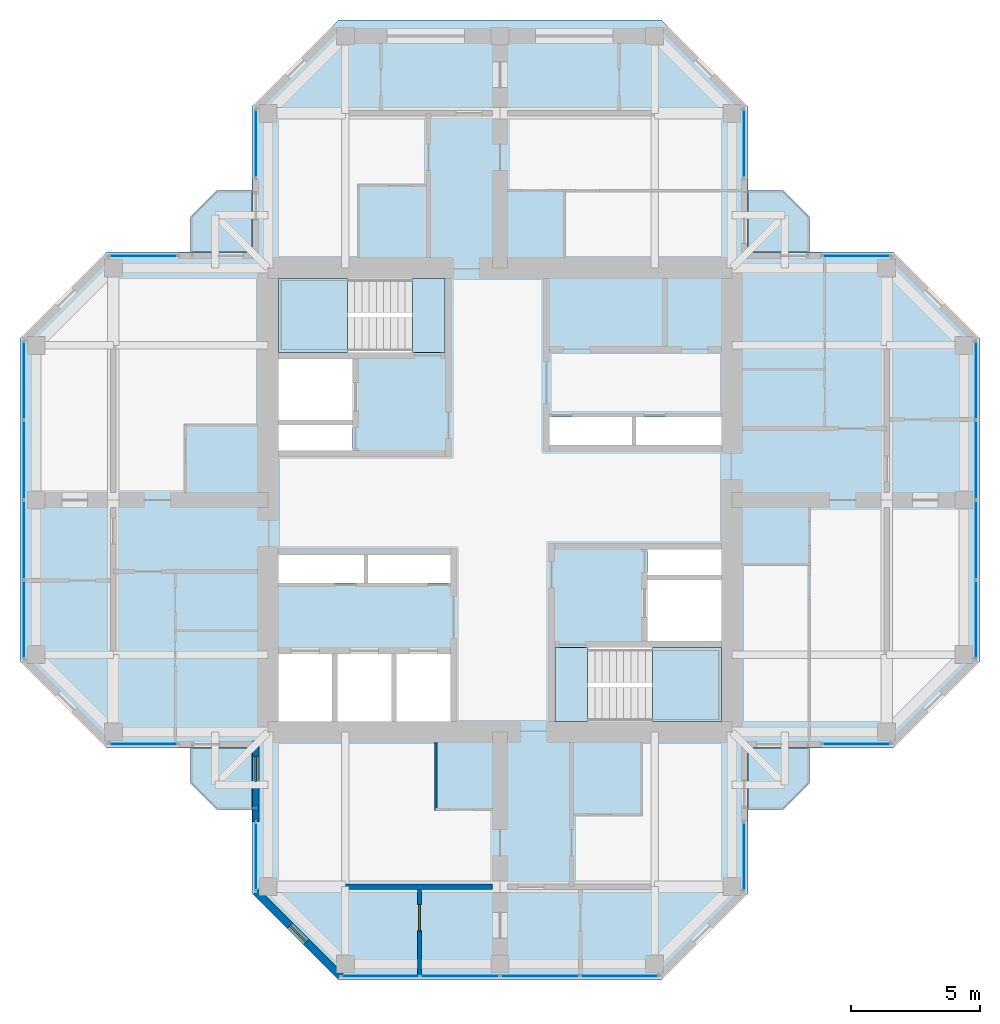
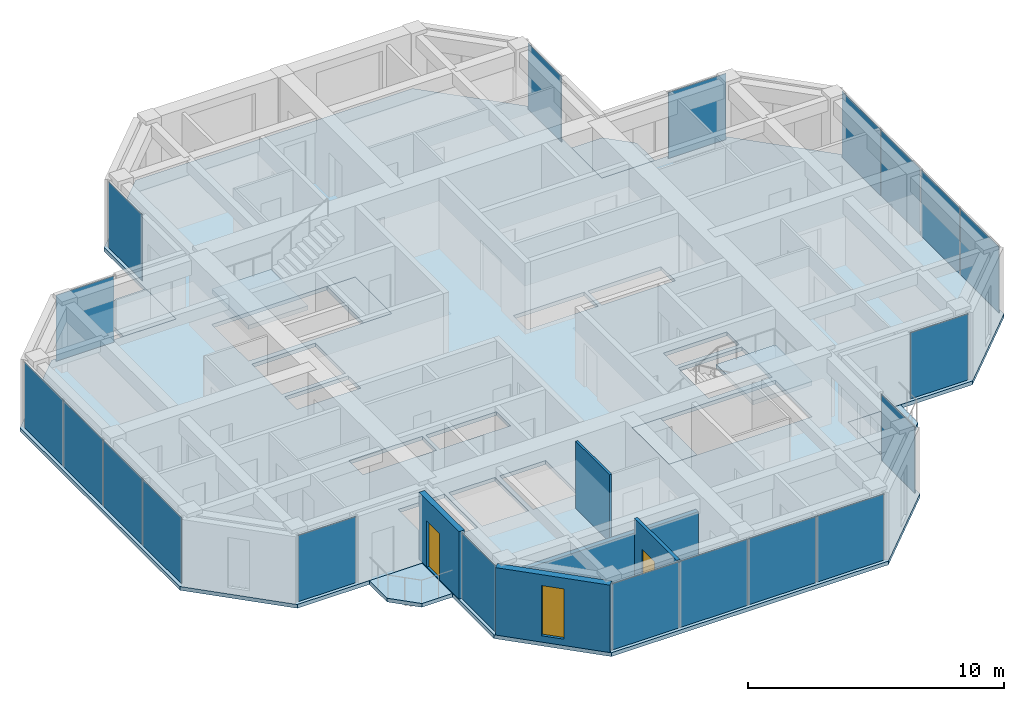
# One storey, part 7 of 13: 20 plates, 9 slabs, 5 walls, 2 doors, 1 window, 3 openings, 13 elements without a shape of their own.
"""IFC4 building model written with IfcOpenShell, lengths in metres."""

from ifc_helpers import new_model, si_unit, direction, frame, frame_2d, origin, origin_2d, place, context, subcontext, project, spatial, polyline, rectangle, hollow_rectangle, outline, extrude, material, layer, layer_set, constituent, constituent_set, type_object, element, fill, aggregate, save


model = new_model("IFC4")

# Units and contexts
model_context = context("Model", 3, precision=1e-05, world=origin(), true_north=direction((0.0, 1.0)))
body_context = subcontext(model_context, "Body", "Model", "MODEL_VIEW")
ifc_project = project(units=[si_unit("LENGTHUNIT", "METRE"), si_unit("AREAUNIT", "SQUARE_METRE"), si_unit("VOLUMEUNIT", "CUBIC_METRE"), si_unit("PLANEANGLEUNIT", "RADIAN"), si_unit("MASSUNIT", "GRAM", prefix="KILO")], contexts=[model_context])

# Site, building, storey
site_placement = place(None, origin())
site = spatial("IfcSite", under=ifc_project, at=site_placement, CompositionType="ELEMENT")
building_placement = place(site_placement, origin())
building = spatial("IfcBuilding", under=site, at=building_placement, Name="Torre Cruceta", CompositionType="ELEMENT")
storey_placement = place(building_placement, frame((0.0, 0.0, 281.5)))
storey = spatial("IfcBuildingStorey", under=building, at=storey_placement, Name="L73", CompositionType="ELEMENT", Elevation=281.5)

# Slabs
ifc_material_1 = material(Name="Concrete G35 (fck 35 MPa)", Category="concrete")
ifc_layer_1 = layer(ifc_material_1, 0.179931640625)
ifc_layer_set_1 = layer_set([ifc_layer_1], Name="Concrete G35 (fck 35 MPa)")
slab_type_1 = type_object("IfcSlabType", Name="BALCONY SLAB 180", PredefinedType="USERDEFINED", material=ifc_layer_set_1)
slab_1_placement = place(storey_placement, frame((0.0, 0.0, -0.179931640625)))
element("IfcSlab", 1, at=slab_1_placement, inside=storey, type_object=slab_type_1, Name="Balcony slab L73 N", ObjectType="BALCONY", PredefinedType="USERDEFINED", context=body_context, shape_type="SweptSolid", body=[
    extrude(outline(polyline([(-12.0, 11.0), (-11.0, 12.0), (-9.6201171875, 12.0), (-9.6201171875, 9.6201171875), (-12.0, 9.6201171875), (-12.0, 11.0)])), origin(), (0.0, 0.0, 1.0), 0.179931640625),
])
slab_2_placement = place(storey_placement, frame((0.0, 0.0, -0.179931640625)))
element("IfcSlab", 2, at=slab_2_placement, inside=storey, type_object=slab_type_1, Name="Balcony slab L73 E", ObjectType="BALCONY", PredefinedType="USERDEFINED", context=body_context, shape_type="SweptSolid", body=[
    extrude(outline(polyline([(11.0, 12.0), (12.0, 11.0), (12.0, 9.6201171875), (9.6201171875, 9.6201171875), (9.6201171875, 12.0), (11.0, 12.0)])), origin(), (0.0, 0.0, 1.0), 0.179931640625),
])
slab_3_placement = place(storey_placement, frame((0.0, 0.0, -0.179931640625)))
element("IfcSlab", 3, at=slab_3_placement, inside=storey, type_object=slab_type_1, Name="Balcony slab L73 S", ObjectType="BALCONY", PredefinedType="USERDEFINED", context=body_context, shape_type="SweptSolid", body=[
    extrude(outline(polyline([(12.0, -11.0), (11.0, -12.0), (9.6201171875, -12.0), (9.6201171875, -9.6201171875), (12.0, -9.6201171875), (12.0, -11.0)])), origin(), (0.0, 0.0, 1.0), 0.179931640625),
])
slab_4_placement = place(storey_placement, frame((0.0, 0.0, -0.179931640625)))
element("IfcSlab", 4, at=slab_4_placement, inside=storey, type_object=slab_type_1, Name="Balcony slab L73 W", ObjectType="BALCONY", PredefinedType="USERDEFINED", context=body_context, shape_type="SweptSolid", body=[
    extrude(outline(polyline([(-11.0, -12.0), (-12.0, -11.0), (-12.0, -9.6201171875), (-9.6201171875, -9.6201171875), (-9.6201171875, -12.0), (-11.0, -12.0)])), origin(), (0.0, 0.0, 1.0), 0.179931640625),
])

# Curtain wall, plate
ifc_material_2 = material(Name="Aluminium unitised curtain wall", Category="aluminium")
curtain_wall_type = type_object("IfcCurtainWallType", Name="CURTAIN WALL CW-E CO-LIVING TOP", PredefinedType="USERDEFINED", material=ifc_material_2)
curtain_wall_1_placement = place(storey_placement, origin())
curtain_wall_1 = element("IfcCurtainWall", 5, at=curtain_wall_1_placement, inside=storey, type_object=curtain_wall_type, Name="CW-E L73 E tip 02", ObjectType="UNITISED", PredefinedType="USERDEFINED")
ifc_material_3 = material(Name="Laminated insulating glass unit, diagonal frit 50 %", Category="glass")
ifc_material_4 = material(Name="Laminated insulating glass unit, diagonal frit 50 %", Category="glass")
ifc_layer_2 = layer(ifc_material_4, 0.028076171875)
ifc_layer_set_2 = layer_set([ifc_layer_2], Name="Laminated insulating glass unit, diagonal frit 50 %")
plate_type_1 = type_object("IfcPlateType", Name="CW-E OPERABLE VENT PANEL 28", PredefinedType="CURTAIN_PANEL", material=ifc_layer_set_2)
plate_1_placement = place(storey_placement, frame((18.469970703125, -1.548583984375, 0.009765625), z_axis=(0.0, 0.0, 1.0), x_axis=(0.0, 1.0, 0.0)))
plate_1 = element("IfcPlate", 6, at=plate_1_placement, type_object=plate_type_1, material=ifc_material_3, Name="CW-E vent 2", PredefinedType="CURTAIN_PANEL", context=body_context, shape_type="SweptSolid", body=[
    extrude(rectangle(XDim=3.042236328125, YDim=0.028076171875, at=origin_2d()), origin(), (0.0, 0.0, 1.0), 3.155029296875),
])

curtain_wall_2_placement = place(storey_placement, origin())
curtain_wall_2 = element("IfcCurtainWall", 7, at=curtain_wall_2_placement, inside=storey, type_object=curtain_wall_type, Name="CW-E L73 W tip 12", ObjectType="UNITISED", PredefinedType="USERDEFINED")
plate_2_placement = place(storey_placement, frame((-18.469970703125, 1.548583984375, 0.009765625), z_axis=(0.0, 0.0, 1.0), x_axis=(0.0, -1.0, 0.0)))
plate_2 = element("IfcPlate", 8, at=plate_2_placement, type_object=plate_type_1, material=ifc_material_3, Name="CW-E vent 2", PredefinedType="CURTAIN_PANEL", context=body_context, shape_type="SweptSolid", body=[
    extrude(rectangle(XDim=3.042236328125, YDim=0.028076171875, at=origin_2d()), origin(), (0.0, 0.0, 1.0), 3.155029296875),
])

curtain_wall_3_placement = place(storey_placement, origin())
curtain_wall_3 = element("IfcCurtainWall", 9, at=curtain_wall_3_placement, inside=storey, type_object=curtain_wall_type, Name="CW-E L73 S tip 17", ObjectType="UNITISED", PredefinedType="USERDEFINED")
plate_3_placement = place(storey_placement, frame((-1.548583984375, -18.469970703125, 0.009765625), z_axis=(0.0, 0.0, 1.0), x_axis=(1.0, 0.0, 0.0)))
plate_3 = element("IfcPlate", 10, at=plate_3_placement, type_object=plate_type_1, material=ifc_material_3, Name="CW-E vent 2", PredefinedType="CURTAIN_PANEL", context=body_context, shape_type="SweptSolid", body=[
    extrude(rectangle(XDim=3.042236328125, YDim=0.028076171875, at=origin_2d()), origin(), (0.0, 0.0, 1.0), 3.155029296875),
])

curtain_wall_4_placement = place(storey_placement, origin())
curtain_wall_4 = element("IfcCurtainWall", 11, at=curtain_wall_4_placement, inside=storey, type_object=curtain_wall_type, Name="CW-E L73 E side 00", ObjectType="UNITISED", PredefinedType="USERDEFINED")
ifc_material_5 = material(Name="Laminated insulating glass unit, low-iron clear", Category="glass")
ifc_material_6 = material(Name="Laminated insulating glass unit, diagonal frit 50 %", Category="glass")
ifc_layer_3 = layer(ifc_material_6, 0.028076171875)
ifc_layer_set_3 = layer_set([ifc_layer_3], Name="Laminated insulating glass unit, diagonal frit 50 %")
plate_type_2 = type_object("IfcPlateType", Name="CW-E PANEL 28", PredefinedType="CURTAIN_PANEL", material=ifc_layer_set_3)
plate_4_placement = place(storey_placement, frame((13.832275390625, -9.469970703125, 0.009765625), z_axis=(0.0, 0.0, 1.0), x_axis=(1.0, 0.0, 0.0)))
plate_4 = element("IfcPlate", 12, at=plate_4_placement, type_object=plate_type_2, material=ifc_material_5, Name="CW-E panel 1", PredefinedType="CURTAIN_PANEL", context=body_context, shape_type="SweptSolid", body=[
    extrude(rectangle(XDim=2.61474609375, YDim=0.028076171875, at=origin_2d()), origin(), (0.0, 0.0, 1.0), 3.155029296875),
])
aggregate(curtain_wall_4, [plate_4])

# Plate
plate_5_placement = place(storey_placement, frame((18.469970703125, -4.63232421875, 0.009765625), z_axis=(0.0, 0.0, 1.0), x_axis=(0.0, 1.0, 0.0)))
plate_5 = element("IfcPlate", 13, at=plate_5_placement, type_object=plate_type_2, material=ifc_material_5, Name="CW-E panel 1", PredefinedType="CURTAIN_PANEL", context=body_context, shape_type="SweptSolid", body=[
    extrude(rectangle(XDim=3.014892578125, YDim=0.028076171875, at=origin_2d()), origin(), (0.0, 0.0, 1.0), 3.155029296875),
])

plate_6_placement = place(storey_placement, frame((18.469970703125, 1.548583984375, 0.009765625), z_axis=(0.0, 0.0, 1.0), x_axis=(0.0, 1.0, 0.0)))
plate_6 = element("IfcPlate", 14, at=plate_6_placement, type_object=plate_type_2, material=ifc_material_3, Name="CW-E panel 3", PredefinedType="CURTAIN_PANEL", context=body_context, shape_type="SweptSolid", body=[
    extrude(rectangle(XDim=3.042236328125, YDim=0.028076171875, at=origin_2d()), origin(), (0.0, 0.0, 1.0), 3.155029296875),
])

plate_7_placement = place(storey_placement, frame((18.469970703125, 4.63232421875, 0.009765625), z_axis=(0.0, 0.0, 1.0), x_axis=(0.0, 1.0, 0.0)))
plate_7 = element("IfcPlate", 15, at=plate_7_placement, type_object=plate_type_2, material=ifc_material_3, Name="CW-E panel 4", PredefinedType="CURTAIN_PANEL", context=body_context, shape_type="SweptSolid", body=[
    extrude(rectangle(XDim=3.014892578125, YDim=0.028076171875, at=origin_2d()), origin(), (0.0, 0.0, 1.0), 3.155029296875),
])

aggregate(curtain_wall_1, [plate_5, plate_1, plate_6, plate_7])

# Curtain wall, plate
curtain_wall_5_placement = place(storey_placement, origin())
curtain_wall_5 = element("IfcCurtainWall", 16, at=curtain_wall_5_placement, inside=storey, type_object=curtain_wall_type, Name="CW-E L73 E side 04", ObjectType="UNITISED", PredefinedType="USERDEFINED")
plate_8_placement = place(storey_placement, frame((13.832275390625, 9.469970703125, 0.009765625), z_axis=(0.0, 0.0, 1.0), x_axis=(-1.0, 0.0, 0.0)))
plate_8 = element("IfcPlate", 17, at=plate_8_placement, type_object=plate_type_2, material=ifc_material_5, Name="CW-E panel 1", PredefinedType="CURTAIN_PANEL", context=body_context, shape_type="SweptSolid", body=[
    extrude(rectangle(XDim=2.61474609375, YDim=0.028076171875, at=origin_2d()), origin(), (0.0, 0.0, 1.0), 3.155029296875),
])
aggregate(curtain_wall_5, [plate_8])

curtain_wall_6_placement = place(storey_placement, origin())
curtain_wall_6 = element("IfcCurtainWall", 18, at=curtain_wall_6_placement, inside=storey, type_object=curtain_wall_type, Name="CW-E L73 N side 05", ObjectType="UNITISED", PredefinedType="USERDEFINED")
plate_9_placement = place(storey_placement, frame((9.469970703125, 13.832275390625, 0.009765625), z_axis=(0.0, 0.0, 1.0), x_axis=(0.0, 1.0, 0.0)))
plate_9 = element("IfcPlate", 19, at=plate_9_placement, type_object=plate_type_2, material=ifc_material_5, Name="CW-E panel 1", PredefinedType="CURTAIN_PANEL", context=body_context, shape_type="SweptSolid", body=[
    extrude(rectangle(XDim=2.61474609375, YDim=0.028076171875, at=origin_2d()), origin(), (0.0, 0.0, 1.0), 3.155029296875),
])
aggregate(curtain_wall_6, [plate_9])

curtain_wall_7_placement = place(storey_placement, origin())
curtain_wall_7 = element("IfcCurtainWall", 20, at=curtain_wall_7_placement, inside=storey, type_object=curtain_wall_type, Name="CW-E L73 N side 09", ObjectType="UNITISED", PredefinedType="USERDEFINED")
plate_10_placement = place(storey_placement, frame((-9.469970703125, 13.832275390625, 0.009765625), z_axis=(0.0, 0.0, 1.0), x_axis=(0.0, -1.0, 0.0)))
plate_10 = element("IfcPlate", 21, at=plate_10_placement, type_object=plate_type_2, material=ifc_material_5, Name="CW-E panel 1", PredefinedType="CURTAIN_PANEL", context=body_context, shape_type="SweptSolid", body=[
    extrude(rectangle(XDim=2.61474609375, YDim=0.028076171875, at=origin_2d()), origin(), (0.0, 0.0, 1.0), 3.155029296875),
])
aggregate(curtain_wall_7, [plate_10])

curtain_wall_8_placement = place(storey_placement, origin())
curtain_wall_8 = element("IfcCurtainWall", 22, at=curtain_wall_8_placement, inside=storey, type_object=curtain_wall_type, Name="CW-E L73 W side 10", ObjectType="UNITISED", PredefinedType="USERDEFINED")
plate_11_placement = place(storey_placement, frame((-13.832275390625, 9.469970703125, 0.009765625), z_axis=(0.0, 0.0, 1.0), x_axis=(-1.0, 0.0, 0.0)))
plate_11 = element("IfcPlate", 23, at=plate_11_placement, type_object=plate_type_2, material=ifc_material_5, Name="CW-E panel 1", PredefinedType="CURTAIN_PANEL", context=body_context, shape_type="SweptSolid", body=[
    extrude(rectangle(XDim=2.61474609375, YDim=0.028076171875, at=origin_2d()), origin(), (0.0, 0.0, 1.0), 3.155029296875),
])
aggregate(curtain_wall_8, [plate_11])

# Plate
plate_12_placement = place(storey_placement, frame((-18.469970703125, 4.63232421875, 0.009765625), z_axis=(0.0, 0.0, 1.0), x_axis=(0.0, -1.0, 0.0)))
plate_12 = element("IfcPlate", 24, at=plate_12_placement, type_object=plate_type_2, material=ifc_material_5, Name="CW-E panel 1", PredefinedType="CURTAIN_PANEL", context=body_context, shape_type="SweptSolid", body=[
    extrude(rectangle(XDim=3.014892578125, YDim=0.028076171875, at=origin_2d()), origin(), (0.0, 0.0, 1.0), 3.155029296875),
])

plate_13_placement = place(storey_placement, frame((-18.469970703125, -1.548583984375, 0.009765625), z_axis=(0.0, 0.0, 1.0), x_axis=(0.0, -1.0, 0.0)))
plate_13 = element("IfcPlate", 25, at=plate_13_placement, type_object=plate_type_2, material=ifc_material_3, Name="CW-E panel 3", PredefinedType="CURTAIN_PANEL", context=body_context, shape_type="SweptSolid", body=[
    extrude(rectangle(XDim=3.042236328125, YDim=0.028076171875, at=origin_2d()), origin(), (0.0, 0.0, 1.0), 3.155029296875),
])

plate_14_placement = place(storey_placement, frame((-18.469970703125, -4.63232421875, 0.009765625), z_axis=(0.0, 0.0, 1.0), x_axis=(0.0, -1.0, 0.0)))
plate_14 = element("IfcPlate", 26, at=plate_14_placement, type_object=plate_type_2, material=ifc_material_3, Name="CW-E panel 4", PredefinedType="CURTAIN_PANEL", context=body_context, shape_type="SweptSolid", body=[
    extrude(rectangle(XDim=3.014892578125, YDim=0.028076171875, at=origin_2d()), origin(), (0.0, 0.0, 1.0), 3.155029296875),
])

aggregate(curtain_wall_2, [plate_12, plate_2, plate_13, plate_14])

# Curtain wall, plate
curtain_wall_9_placement = place(storey_placement, origin())
curtain_wall_9 = element("IfcCurtainWall", 27, at=curtain_wall_9_placement, inside=storey, type_object=curtain_wall_type, Name="CW-E L73 W side 14", ObjectType="UNITISED", PredefinedType="USERDEFINED")
plate_15_placement = place(storey_placement, frame((-13.832275390625, -9.469970703125, 0.009765625), z_axis=(0.0, 0.0, 1.0), x_axis=(1.0, 0.0, 0.0)))
plate_15 = element("IfcPlate", 28, at=plate_15_placement, type_object=plate_type_2, material=ifc_material_5, Name="CW-E panel 1", PredefinedType="CURTAIN_PANEL", context=body_context, shape_type="SweptSolid", body=[
    extrude(rectangle(XDim=2.61474609375, YDim=0.028076171875, at=origin_2d()), origin(), (0.0, 0.0, 1.0), 3.155029296875),
])
aggregate(curtain_wall_9, [plate_15])

curtain_wall_10_placement = place(storey_placement, origin())
curtain_wall_10 = element("IfcCurtainWall", 29, at=curtain_wall_10_placement, inside=storey, type_object=curtain_wall_type, Name="CW-E L73 S side 15", ObjectType="UNITISED", PredefinedType="USERDEFINED")
plate_16_placement = place(storey_placement, frame((-9.469970703125, -13.832275390625, 0.009765625), z_axis=(0.0, 0.0, 1.0), x_axis=(0.0, -1.0, 0.0)))
plate_16 = element("IfcPlate", 30, at=plate_16_placement, type_object=plate_type_2, material=ifc_material_5, Name="CW-E panel 1", PredefinedType="CURTAIN_PANEL", context=body_context, shape_type="SweptSolid", body=[
    extrude(rectangle(XDim=2.61474609375, YDim=0.028076171875, at=origin_2d()), origin(), (0.0, 0.0, 1.0), 3.155029296875),
])
aggregate(curtain_wall_10, [plate_16])

# Plate
plate_17_placement = place(storey_placement, frame((-4.63232421875, -18.469970703125, 0.009765625), z_axis=(0.0, 0.0, 1.0), x_axis=(1.0, 0.0, 0.0)))
plate_17 = element("IfcPlate", 31, at=plate_17_placement, type_object=plate_type_2, material=ifc_material_5, Name="CW-E panel 1", PredefinedType="CURTAIN_PANEL", context=body_context, shape_type="SweptSolid", body=[
    extrude(rectangle(XDim=3.014892578125, YDim=0.028076171875, at=origin_2d()), origin(), (0.0, 0.0, 1.0), 3.155029296875),
])

plate_18_placement = place(storey_placement, frame((1.548583984375, -18.469970703125, 0.009765625), z_axis=(0.0, 0.0, 1.0), x_axis=(1.0, 0.0, 0.0)))
plate_18 = element("IfcPlate", 32, at=plate_18_placement, type_object=plate_type_2, material=ifc_material_3, Name="CW-E panel 3", PredefinedType="CURTAIN_PANEL", context=body_context, shape_type="SweptSolid", body=[
    extrude(rectangle(XDim=3.042236328125, YDim=0.028076171875, at=origin_2d()), origin(), (0.0, 0.0, 1.0), 3.155029296875),
])

plate_19_placement = place(storey_placement, frame((4.63232421875, -18.469970703125, 0.009765625), z_axis=(0.0, 0.0, 1.0), x_axis=(1.0, 0.0, 0.0)))
plate_19 = element("IfcPlate", 33, at=plate_19_placement, type_object=plate_type_2, material=ifc_material_3, Name="CW-E panel 4", PredefinedType="CURTAIN_PANEL", context=body_context, shape_type="SweptSolid", body=[
    extrude(rectangle(XDim=3.014892578125, YDim=0.028076171875, at=origin_2d()), origin(), (0.0, 0.0, 1.0), 3.155029296875),
])

aggregate(curtain_wall_3, [plate_17, plate_3, plate_18, plate_19])

# Curtain wall, plate
curtain_wall_11_placement = place(storey_placement, origin())
curtain_wall_11 = element("IfcCurtainWall", 34, at=curtain_wall_11_placement, inside=storey, type_object=curtain_wall_type, Name="CW-E L73 S side 19", ObjectType="UNITISED", PredefinedType="USERDEFINED")
plate_20_placement = place(storey_placement, frame((9.469970703125, -13.832275390625, 0.009765625), z_axis=(0.0, 0.0, 1.0), x_axis=(0.0, 1.0, 0.0)))
plate_20 = element("IfcPlate", 35, at=plate_20_placement, type_object=plate_type_2, material=ifc_material_5, Name="CW-E panel 1", PredefinedType="CURTAIN_PANEL", context=body_context, shape_type="SweptSolid", body=[
    extrude(rectangle(XDim=2.61474609375, YDim=0.028076171875, at=origin_2d()), origin(), (0.0, 0.0, 1.0), 3.155029296875),
])
aggregate(curtain_wall_11, [plate_20])

# Slab
ifc_material_7 = material(Name="Concrete G35 (fck 35 MPa)", Category="concrete")
ifc_layer_4 = layer(ifc_material_7, 0.179931640625)
ifc_layer_set_4 = layer_set([ifc_layer_4], Name="Concrete G35 (fck 35 MPa)")
slab_type_2 = type_object("IfcSlabType", Name="FLOOR SLAB 180", PredefinedType="FLOOR", material=ifc_layer_set_4)
slab_5_placement = place(storey_placement, frame((0.0, 0.0, -0.179931640625)))
element("IfcSlab", 36, at=slab_5_placement, inside=storey, type_object=slab_type_2, Name="Floor Slab L73", PredefinedType="FLOOR", context=body_context, shape_type="SweptSolid", body=[
    extrude(outline(polyline([(9.6201171875, -9.6201171875), (9.6201171875, -15.2568359375), (6.2568359375, -18.6201171875), (-6.2568359375, -18.6201171875), (-9.6201171875, -15.2568359375), (-9.6201171875, -9.6201171875), (-15.2568359375, -9.6201171875), (-18.6201171875, -6.2568359375), (-18.6201171875, 6.2568359375), (-15.2568359375, 9.6201171875), (-9.6201171875, 9.6201171875), (-9.6201171875, 15.2568359375), (-6.2568359375, 18.6201171875), (6.2568359375, 18.6201171875), (9.6201171875, 15.2568359375), (9.6201171875, 9.6201171875), (15.2568359375, 9.6201171875), (18.6201171875, 6.2568359375), (18.6201171875, -6.2568359375), (15.2568359375, -9.6201171875), (9.6201171875, -9.6201171875)]), holes=[polyline([(1.925048828125, 2.125), (5.125, 2.125), (5.125, 3.22509765625), (1.925048828125, 3.22509765625), (1.925048828125, 2.125)]), polyline([(5.27490234375, 2.125), (8.60009765625, 2.125), (8.60009765625, 3.22509765625), (5.27490234375, 3.22509765625), (5.27490234375, 2.125)]), polyline([(-8.60009765625, 3.10009765625), (-5.72509765625, 3.10009765625), (-5.72509765625, 5.47509765625), (-8.60009765625, 5.47509765625), (-8.60009765625, 3.10009765625)]), polyline([(-8.60009765625, 1.925048828125), (-5.72509765625, 1.925048828125), (-5.72509765625, 2.89990234375), (-8.60009765625, 2.89990234375), (-8.60009765625, 1.925048828125)]), polyline([(-4.0166015625, -8.60009765625), (-1.925048828125, -8.60009765625), (-1.925048828125, -5.97509765625), (-4.0166015625, -5.97509765625), (-4.0166015625, -8.60009765625)]), polyline([(-6.308349609375, -8.60009765625), (-4.216552734375, -8.60009765625), (-4.216552734375, -5.97509765625), (-6.308349609375, -5.97509765625), (-6.308349609375, -8.60009765625)]), polyline([(-8.60009765625, -8.60009765625), (-6.50830078125, -8.60009765625), (-6.50830078125, -5.97509765625), (-8.60009765625, -5.97509765625), (-8.60009765625, -8.60009765625)]), polyline([(-5.125, -3.22509765625), (-1.925048828125, -3.22509765625), (-1.925048828125, -2.125), (-5.125, -2.125), (-5.125, -3.22509765625)]), polyline([(-8.60009765625, -3.22509765625), (-5.27490234375, -3.22509765625), (-5.27490234375, -2.125), (-8.60009765625, -2.125), (-8.60009765625, -3.22509765625)]), polyline([(5.72509765625, -5.47509765625), (8.60009765625, -5.47509765625), (8.60009765625, -3.10009765625), (5.72509765625, -3.10009765625), (5.72509765625, -5.47509765625)]), polyline([(5.72509765625, -2.89990234375), (8.60009765625, -2.89990234375), (8.60009765625, -1.925048828125), (5.72509765625, -1.925048828125), (5.72509765625, -2.89990234375)]), polyline([(-8.60009765625, 5.72509765625), (-8.60009765625, 8.60009765625), (-3.39990234375, 8.60009765625), (-2.125, 8.60009765625), (-2.125, 5.72509765625), (-3.39990234375, 5.72509765625), (-8.60009765625, 5.72509765625)]), polyline([(2.125, -5.72509765625), (3.39990234375, -5.72509765625), (8.60009765625, -5.72509765625), (8.60009765625, -8.60009765625), (3.39990234375, -8.60009765625), (2.125, -8.60009765625), (2.125, -5.72509765625)])]), origin(), (0.0, 0.0, 1.0), 0.179931640625),
])

# Stair, slab
ifc_material_8 = material(Name="Concrete G30 (fck 30 MPa)", Category="concrete")
stair_type = type_object("IfcStairType", Name="STAIR HALF-TURN 1300", PredefinedType="HALF_TURN_STAIR", material=ifc_material_8)
stair_1_placement = place(storey_placement, origin())
stair_1 = element("IfcStair", 37, at=stair_1_placement, inside=storey, type_object=stair_type, Name="Stair ST1 L73", PredefinedType="HALF_TURN_STAIR")
ifc_material_9 = material(Name="Concrete G30 (fck 30 MPa)", Category="concrete")
ifc_layer_5 = layer(ifc_material_9, 0.199951171875)
ifc_layer_set_5 = layer_set([ifc_layer_5], Name="Concrete G30 (fck 30 MPa)")
slab_type_3 = type_object("IfcSlabType", Name="STAIR LANDING 200", PredefinedType="LANDING", material=ifc_layer_set_5)
slab_6_placement = place(storey_placement, frame((0.0, 0.0, 1.5)))
slab_6 = element("IfcSlab", 38, at=slab_6_placement, type_object=slab_type_3, Name="ST1 landing 1", PredefinedType="LANDING", context=body_context, shape_type="SweptSolid", body=[
    extrude(outline(polyline([(-8.60009765625, 5.72509765625), (-5.919921875, 5.72509765625), (-5.919921875, 8.60009765625), (-8.60009765625, 8.60009765625), (-8.60009765625, 5.72509765625)])), origin(), (0.0, 0.0, 1.0), 0.199951171875),
])
aggregate(stair_1, [slab_6])

stair_2_placement = place(storey_placement, origin())
stair_2 = element("IfcStair", 39, at=stair_2_placement, inside=storey, type_object=stair_type, Name="Stair ST2 L73", PredefinedType="HALF_TURN_STAIR")
slab_7_placement = place(storey_placement, frame((0.0, 0.0, 1.5)))
slab_7 = element("IfcSlab", 40, at=slab_7_placement, type_object=slab_type_3, Name="ST2 landing 1", PredefinedType="LANDING", context=body_context, shape_type="SweptSolid", body=[
    extrude(outline(polyline([(5.919921875, -8.60009765625), (8.60009765625, -8.60009765625), (8.60009765625, -5.72509765625), (5.919921875, -5.72509765625), (5.919921875, -8.60009765625)])), origin(), (0.0, 0.0, 1.0), 0.199951171875),
])
aggregate(stair_2, [slab_7])

# Slabs
slab_8_placement = place(storey_placement, frame((0.0, 0.0, -0.199951171875)))
element("IfcSlab", 41, at=slab_8_placement, inside=storey, type_object=slab_type_3, Name="Stair ST1 floor landing L73", PredefinedType="LANDING", context=body_context, shape_type="SweptSolid", body=[
    extrude(outline(polyline([(-2.125, 8.60009765625), (-2.125, 5.72509765625), (-3.39990234375, 5.72509765625), (-3.39990234375, 8.60009765625), (-2.125, 8.60009765625)])), origin(), (0.0, 0.0, 1.0), 0.199951171875),
])
slab_9_placement = place(storey_placement, frame((0.0, 0.0, -0.199951171875)))
element("IfcSlab", 42, at=slab_9_placement, inside=storey, type_object=slab_type_3, Name="Stair ST2 floor landing L73", PredefinedType="LANDING", context=body_context, shape_type="SweptSolid", body=[
    extrude(outline(polyline([(2.125, -8.60009765625), (2.125, -5.72509765625), (3.39990234375, -5.72509765625), (3.39990234375, -8.60009765625), (2.125, -8.60009765625)])), origin(), (0.0, 0.0, 1.0), 0.199951171875),
])

# Wall
ifc_material_10 = material(Name="Water-resistant plasterboard on steel studs", Category="steel")
ifc_layer_6 = layer(ifc_material_10, 0.10009765625)
ifc_layer_set_6 = layer_set([ifc_layer_6], Name="Water-resistant plasterboard on steel studs")
wall_type_1 = type_object("IfcWallType", Name="BATHROOM WALL 100", PredefinedType="PARTITIONING", material=ifc_layer_set_6)
wall_1_placement = place(storey_placement, frame((-2.5, -9.39990234375, 0.0), z_axis=(0.0, 0.0, 1.0), x_axis=(0.0, -1.0, 0.0)))
element("IfcWall", 43, at=wall_1_placement, inside=storey, type_object=wall_type_1, Name="PT4 L73-S-U1RBB", PredefinedType="PARTITIONING", context=body_context, shape_type="SweptSolid", body=[
    extrude(rectangle(XDim=2.650146484375, YDim=0.10009765625, at=frame_2d((1.3251953125, 0.0))), origin(), (0.0, 0.0, 1.0), 3.219970703125),
])

# Wall, opening, window
ifc_material_11 = material(Name="Concrete G30 (fck 30 MPa)", Category="concrete")
ifc_layer_7 = layer(ifc_material_11, 0.300048828125)
ifc_layer_set_7 = layer_set([ifc_layer_7], Name="Concrete G30 (fck 30 MPa)")
wall_type_2 = type_object("IfcWallType", Name="EXPOSED CONCRETE FACADE WALL 300", PredefinedType="SOLIDWALL", material=ifc_layer_set_7)
wall_2_placement = place(storey_placement, frame((-9.469970703125, -15.194580078125, 0.0), z_axis=(0.0, 0.0, 1.0), x_axis=(0.707106781187, -0.707106781187, 0.0)))
wall_2 = element("IfcWall", 44, at=wall_2_placement, inside=storey, type_object=wall_type_2, Name="EW1 facade wall L73 S chamfer 16", PredefinedType="SOLIDWALL", context=body_context, shape_type="SweptSolid", body=[
    extrude(rectangle(XDim=4.632080078125, YDim=0.300048828125, at=frame_2d((2.31591796875, 0.0))), origin(), (0.0, 0.0, 1.0), 3.219970703125),
])
opening_1_placement = place(wall_2_placement, frame((1.865966796875, 0.0, 0.300048828125)))
opening_1 = element("IfcOpeningElement", 45, at=opening_1_placement, cuts=wall_2, Name="Opening WN5", PredefinedType="OPENING", context=body_context, shape_type="SweptSolid", body=[
    extrude(rectangle(XDim=0.89990234375, YDim=2.39990234375, at=frame_2d((0.449951171875, 1.199951171875))), frame((0.0, 0.159912109375, 0.0), z_axis=(0.0, -1.0, 0.0), x_axis=(1.0, 0.0, 0.0)), (0.0, 0.0, 1.0), 0.320068359375),
])
ifc_material_12 = material(Name="Aluminium window frame", Category="aluminium")
ifc_constituent_1 = constituent(ifc_material_12, Name="Frame")
ifc_material_13 = material(Name="Laminated insulating glass unit, low-iron clear", Category="glass")
ifc_constituent_2 = constituent(ifc_material_13, Name="Glazing")
ifc_constituent_set_1 = constituent_set(constituents=[ifc_constituent_1, ifc_constituent_2], Name="Aluminium window")
window_type = type_object("IfcWindowType", Name="CHAMFER SLOT WINDOW 900X2400", PartitioningType="SINGLE_PANEL", PredefinedType="WINDOW", material=ifc_constituent_set_1)
window_placement = place(opening_1_placement, origin())
window = element("IfcWindow", 46, at=window_placement, inside=storey, type_object=window_type, Name="WN5 L73 S 1", OverallHeight=2.39990234375, OverallWidth=0.89990234375, PartitioningType="SINGLE_PANEL", PredefinedType="WINDOW", context=body_context, shape_type="SweptSolid", body=[
    extrude(hollow_rectangle(XDim=0.89990234375, YDim=2.39990234375, WallThickness=0.06005859375, at=frame_2d((0.449951171875, 1.199951171875))), frame((0.0, 0.030029296875, 0.0), z_axis=(0.0, -1.0, 0.0), x_axis=(1.0, 0.0, 0.0)), (0.0, 0.0, 1.0), 0.06005859375),
    extrude(rectangle(XDim=0.77880859375, YDim=2.27880859375, at=frame_2d((0.449951171875, 1.199951171875))), frame((0.0, 0.030029296875, 0.0), z_axis=(0.0, -1.0, 0.0), x_axis=(1.0, 0.0, 0.0)), (0.0, 0.0, 1.0), 0.06005859375),
])
fill(opening_1, window)

# Wall, opening, door
ifc_material_14 = material(Name="Plasterboard on steel studs", Category="steel")
ifc_layer_8 = layer(ifc_material_14, 0.14990234375)
ifc_layer_set_8 = layer_set([ifc_layer_8], Name="Plasterboard on steel studs")
wall_type_3 = type_object("IfcWallType", Name="PARTITION 150", PredefinedType="PARTITIONING", material=ifc_layer_set_8)
wall_3_placement = place(storey_placement, frame((-3.117919921875, -15.10009765625, 0.0), z_axis=(0.0, 0.0, 1.0), x_axis=(0.0, -1.0, 0.0)))
wall_3 = element("IfcWall", 47, at=wall_3_placement, inside=storey, type_object=wall_type_3, Name="PT1 L73-S-END2X", PredefinedType="PARTITIONING", context=body_context, shape_type="SweptSolid", body=[
    extrude(rectangle(XDim=3.329833984375, YDim=0.14990234375, at=frame_2d((1.6650390625, 0.0))), origin(), (0.0, 0.0, 1.0), 3.219970703125),
])
opening_2_placement = place(wall_3_placement, frame((0.60009765625, 0.0, 0.0)))
opening_2 = element("IfcOpeningElement", 48, at=opening_2_placement, cuts=wall_3, Name="Opening D3", PredefinedType="OPENING", context=body_context, shape_type="SweptSolid", body=[
    extrude(rectangle(XDim=1.0, YDim=2.10009765625, at=frame_2d((0.5, 1.050048828125))), frame((0.0, 0.0849609375, 0.0), z_axis=(0.0, -1.0, 0.0), x_axis=(1.0, 0.0, 0.0)), (0.0, 0.0, 1.0), 0.169921875),
])
ifc_material_15 = material(Name="Steel DX51D", Category="steel")
ifc_constituent_3 = constituent(ifc_material_15, Name="Leaf and frame")
ifc_material_16 = material(Name="Polyester powder coating", Category="paint")
ifc_constituent_4 = constituent(ifc_material_16, Name="Finish")
ifc_constituent_set_2 = constituent_set(constituents=[ifc_constituent_3, ifc_constituent_4], Name="Steel fire door")
door_type_1 = type_object("IfcDoorType", Name="FIRE DOOR 1000X2100", OperationType="SINGLE_SWING_LEFT", PredefinedType="DOOR", material=ifc_constituent_set_2)
door_1_placement = place(opening_2_placement, origin())
door_1 = element("IfcDoor", 49, at=door_1_placement, inside=storey, type_object=door_type_1, Name="D3 L73-S-END2X-D1", OperationType="SINGLE_SWING_LEFT", OverallHeight=2.10009765625, OverallWidth=1.0, PredefinedType="DOOR", context=body_context, shape_type="SweptSolid", body=[
    extrude(rectangle(XDim=1.0, YDim=2.10009765625, at=frame_2d((0.5, 1.050048828125))), frame((0.0, 0.02490234375, 0.0), z_axis=(0.0, -1.0, 0.0), x_axis=(1.0, 0.0, 0.0)), (0.0, 0.0, 1.0), 0.050048828125),
])
fill(opening_2, door_1)

# Wall
ifc_material_17 = material(Name="Concrete G25 (fck 25 MPa)", Category="concrete")
ifc_layer_9 = layer(ifc_material_17, 0.199951171875)
ifc_layer_set_9 = layer_set([ifc_layer_9], Name="Concrete G25 (fck 25 MPa)")
wall_type_4 = type_object("IfcWallType", Name="UNIT SEPARATING WALL 200", PredefinedType="SOLIDWALL", material=ifc_layer_set_9)
wall_4_placement = place(storey_placement, frame((-8.64990234375, -15.0, 0.0), z_axis=(0.0, 0.0, 1.0), x_axis=(1.0, 0.0, 0.0)))
element("IfcWall", 50, at=wall_4_placement, inside=storey, type_object=wall_type_4, Name="PT2 L73-S-ENDa", PredefinedType="SOLIDWALL", context=body_context, shape_type="SweptSolid", body=[
    extrude(rectangle(XDim=8.349853515625, YDim=0.199951171875, at=frame_2d((4.1748046875, 0.0))), origin(), (0.0, 0.0, 1.0), 2.52001953125),
])

# Wall, opening, door
ifc_material_18 = material(Name="Concrete G30 (fck 30 MPa)", Category="concrete")
ifc_layer_10 = layer(ifc_material_18, 0.25)
ifc_layer_set_10 = layer_set([ifc_layer_10], Name="Concrete G30 (fck 30 MPa)")
wall_type_5 = type_object("IfcWallType", Name="WINTER GARDEN WALL 250", PredefinedType="SOLIDWALL", material=ifc_layer_set_10)
wall_5_placement = place(storey_placement, frame((-9.469970703125, -9.344970703125, 0.0), z_axis=(0.0, 0.0, 1.0), x_axis=(0.0, -1.0, 0.0)))
wall_5 = element("IfcWall", 51, at=wall_5_placement, inside=storey, type_object=wall_type_5, Name="EW2 winter garden wall L73 15", PredefinedType="SOLIDWALL", context=body_context, shape_type="SweptSolid", body=[
    extrude(rectangle(XDim=3.125, YDim=0.25, at=frame_2d((1.5625, 0.0))), origin(), (0.0, 0.0, 1.0), 3.219970703125),
])
opening_3_placement = place(wall_5_placement, frame((0.60009765625, 0.0, 0.0)))
opening_3 = element("IfcOpeningElement", 52, at=opening_3_placement, cuts=wall_5, Name="Opening D10", PredefinedType="OPENING", context=body_context, shape_type="SweptSolid", body=[
    extrude(rectangle(XDim=1.0, YDim=2.199951171875, at=frame_2d((0.5, 1.10009765625))), frame((0.0, 0.135009765625, 0.0), z_axis=(0.0, -1.0, 0.0), x_axis=(1.0, 0.0, 0.0)), (0.0, 0.0, 1.0), 0.27001953125),
])
ifc_material_19 = material(Name="Aluminium door frame", Category="aluminium")
ifc_constituent_5 = constituent(ifc_material_19, Name="Frame")
ifc_material_20 = material(Name="Laminated safety glass", Category="glass")
ifc_constituent_6 = constituent(ifc_material_20, Name="Glazing")
ifc_constituent_set_3 = constituent_set(constituents=[ifc_constituent_5, ifc_constituent_6], Name="Aluminium glazed door")
door_type_2 = type_object("IfcDoorType", Name="BALCONY DOOR 1000X2200", OperationType="SINGLE_SWING_RIGHT", PredefinedType="DOOR", material=ifc_constituent_set_3)
door_2_placement = place(opening_3_placement, origin())
door_2 = element("IfcDoor", 53, at=door_2_placement, inside=storey, type_object=door_type_2, Name="D10 balcony door L73 15", OperationType="SINGLE_SWING_LEFT", OverallHeight=2.199951171875, OverallWidth=1.0, PredefinedType="DOOR", context=body_context, shape_type="SweptSolid", body=[
    extrude(hollow_rectangle(XDim=1.0, YDim=2.199951171875, WallThickness=0.06005859375, at=frame_2d((0.5, 1.10009765625))), frame((0.0, 0.02490234375, 0.0), z_axis=(0.0, -1.0, 0.0), x_axis=(1.0, 0.0, 0.0)), (0.0, 0.0, 1.0), 0.050048828125),
    extrude(rectangle(XDim=0.87890625, YDim=2.078857421875, at=frame_2d((0.5, 1.10009765625))), frame((0.0, 0.02490234375, 0.0), z_axis=(0.0, -1.0, 0.0), x_axis=(1.0, 0.0, 0.0)), (0.0, 0.0, 1.0), 0.050048828125),
])
fill(opening_3, door_2)

save(model, "model.ifc")
